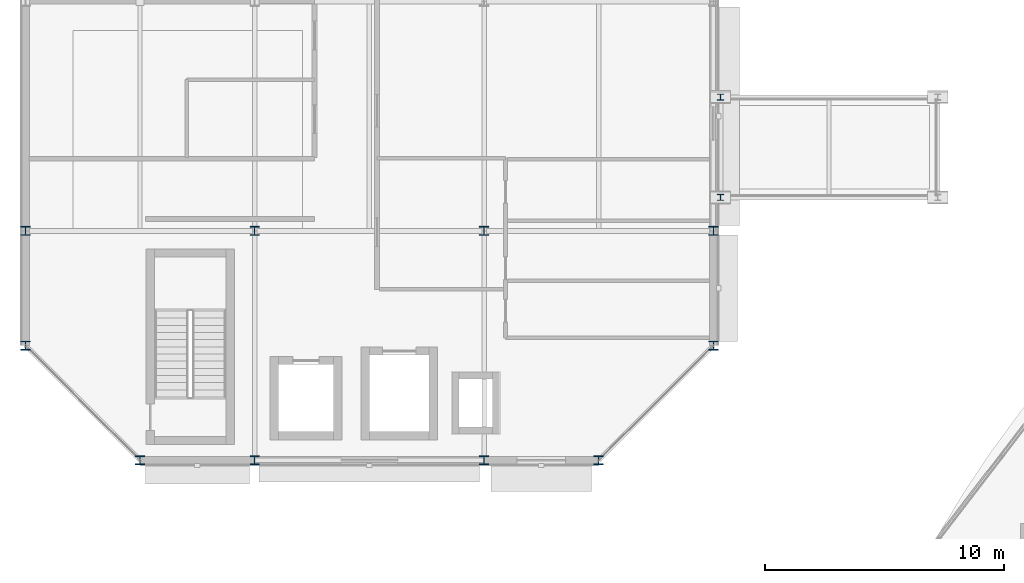
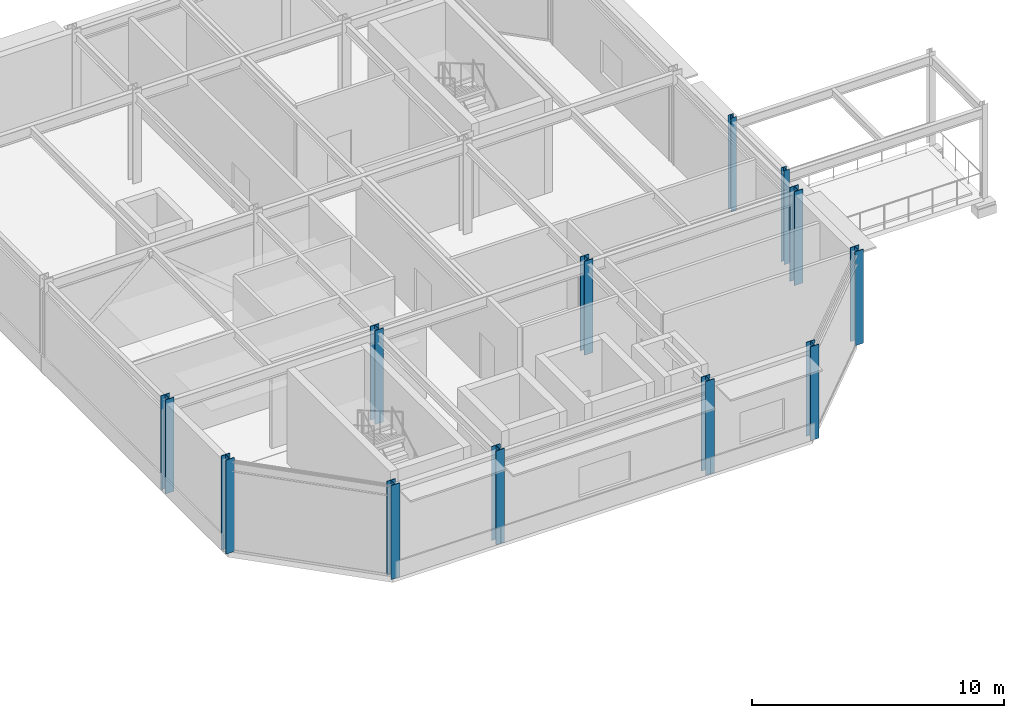
# One storey, part 10 of 157: 12 columns.
"""IFC4 building model written with IfcOpenShell, lengths in metres."""

from ifc_helpers import new_model, si_unit, direction, frame, origin, origin_2d, place, context, subcontext, project, spatial, i_section, extrude, material, material_profile, profile_set, type_object, element, save


model = new_model("IFC4")

# Units and contexts
model_context = context("Model", 3, precision=1e-05, world=origin(), true_north=direction((0.0, 1.0)))
body_context = subcontext(model_context, "Body", "Model", "MODEL_VIEW")
ifc_project = project(units=[si_unit("LENGTHUNIT", "METRE"), si_unit("AREAUNIT", "SQUARE_METRE"), si_unit("VOLUMEUNIT", "CUBIC_METRE"), si_unit("PLANEANGLEUNIT", "RADIAN"), si_unit("MASSUNIT", "GRAM", prefix="KILO")], contexts=[model_context])

# Site, building, storey
site_placement = place(None, origin())
site = spatial("IfcSite", under=ifc_project, at=site_placement, CompositionType="ELEMENT")
building_placement = place(site_placement, origin())
building = spatial("IfcBuilding", under=site, at=building_placement, Name="Almandine Court Research Institute", CompositionType="ELEMENT")
storey_placement = place(building_placement, frame((0.0, 0.0, 5.25)))
storey = spatial("IfcBuildingStorey", under=building, at=storey_placement, Name="L01", CompositionType="ELEMENT", Elevation=5.25)

# Columns
ifc_material = material(Name="Steel ASTM A992 Grade 50", Category="steel")
ifc_material_profile_1 = material_profile(ifc_material, i_section(OverallWidth=0.39404296875, OverallDepth=0.375, WebThickness=0.02001953125, FlangeThickness=0.031982421875, at=origin_2d()), Name="W360x216")
ifc_profile_set_1 = profile_set([ifc_material_profile_1], Name="Steel ASTM A992 Grade 50")
column_type_1 = type_object("IfcColumnType", Name="Col-C-W02", PredefinedType="COLUMN", material=ifc_profile_set_1)
for number, where, z_axis, x_axis, name in (
    (1, (15.60009765625, 93.60009765625, 0.0), (0.0, 0.0, 1.0), (1.0, 0.0, 0.0), "L01 V3 Column V3-X2Y2"),
    (2, (25.199951171875, 93.60009765625, 0.0), (0.0, 0.0, 1.0), (1.0, 0.0, 0.0), "L01 V3 Column V3-X3Y2"),
):
    element("IfcColumn", number, at=place(storey_placement, frame(where, z_axis=z_axis, x_axis=x_axis)), inside=storey, type_object=column_type_1, Name=name, PredefinedType="COLUMN", context=body_context, shape_type="SweptSolid", body=[
        extrude(i_section(OverallWidth=0.39404296875, OverallDepth=0.375, WebThickness=0.02001953125, FlangeThickness=0.031982421875, at=origin_2d()), origin(), (0.0, 0.0, 1.0), 4.550048828125),
    ])
ifc_material_profile_2 = material_profile(ifc_material, i_section(OverallWidth=0.39404296875, OverallDepth=0.375, WebThickness=0.02001953125, FlangeThickness=0.031982421875, at=origin_2d()), Name="W360x216")
ifc_profile_set_2 = profile_set([ifc_material_profile_2], Name="Steel ASTM A992 Grade 50")
column_type_2 = type_object("IfcColumnType", Name="Col-C-W02-E", PredefinedType="COLUMN", material=ifc_profile_set_2)
for number, where, z_axis, x_axis, name in (
    (3, (6.0, 93.60009765625, 0.0), (0.0, 0.0, 1.0), (1.0, 0.0, 0.0), "L01 V3 Column V3-X1Y2"),
    (4, (15.60009765625, 84.0, 0.0), (0.0, 0.0, 1.0), (1.0, 0.0, 0.0), "L01 V3 Column V3-X2Y1"),
    (5, (25.199951171875, 84.0, 0.0), (0.0, 0.0, 1.0), (1.0, 0.0, 0.0), "L01 V3 Column V3-X3Y1"),
    (6, (34.800048828125, 93.60009765625, 0.0), (0.0, 0.0, 1.0), (1.0, 0.0, 0.0), "L01 V3 Column V3-X4Y2"),
    (7, (10.800048828125, 84.0, 0.0), (0.0, 0.0, 1.0), (1.0, 0.0, 0.0), "L01 V3 Column V3-CH1"),
    (8, (30.0, 84.0, 0.0), (0.0, 0.0, 1.0), (1.0, 0.0, 0.0), "L01 V3 Column V3-CH2"),
    (9, (34.800048828125, 88.800048828125, 0.0), (0.0, 0.0, 1.0), (1.0, 0.0, 0.0), "L01 V3 Column V3-CH3"),
    (10, (6.0, 88.800048828125, 0.0), (0.0, 0.0, 1.0), (1.0, 0.0, 0.0), "L01 V3 Column V3-CH8"),
):
    element("IfcColumn", number, at=place(storey_placement, frame(where, z_axis=z_axis, x_axis=x_axis)), inside=storey, type_object=column_type_2, Name=name, PredefinedType="COLUMN", context=body_context, shape_type="SweptSolid", body=[
        extrude(i_section(OverallWidth=0.39404296875, OverallDepth=0.375, WebThickness=0.02001953125, FlangeThickness=0.031982421875, at=origin_2d()), origin(), (0.0, 0.0, 1.0), 4.550048828125),
    ])
ifc_material_profile_3 = material_profile(ifc_material, i_section(OverallWidth=0.25390625, OverallDepth=0.2529296875, WebThickness=0.009033203125, FlangeThickness=0.013916015625, at=origin_2d()), Name="W250x73")
ifc_profile_set_3 = profile_set([ifc_material_profile_3], Name="Steel ASTM A992 Grade 50")
column_type_3 = type_object("IfcColumnType", Name="Col-C-W10-E", PredefinedType="COLUMN", material=ifc_profile_set_3)
for number, where, z_axis, x_axis, name in (
    (11, (35.10009765625, 95.0, 0.0), (0.0, 0.0, 1.0), (1.0, 0.0, 0.0), "L01 DAL-NW Column DAL-NW-X1Y1"),
    (12, (35.10009765625, 99.199951171875, 0.0), (0.0, 0.0, 1.0), (1.0, 0.0, 0.0), "L01 DAL-NW Column DAL-NW-X1Y2"),
):
    element("IfcColumn", number, at=place(storey_placement, frame(where, z_axis=z_axis, x_axis=x_axis)), inside=storey, type_object=column_type_3, Name=name, PredefinedType="COLUMN", context=body_context, shape_type="SweptSolid", body=[
        extrude(i_section(OverallWidth=0.25390625, OverallDepth=0.2529296875, WebThickness=0.009033203125, FlangeThickness=0.013916015625, at=origin_2d()), origin(), (0.0, 0.0, 1.0), 4.550048828125),
    ])

save(model, "model.ifc")
